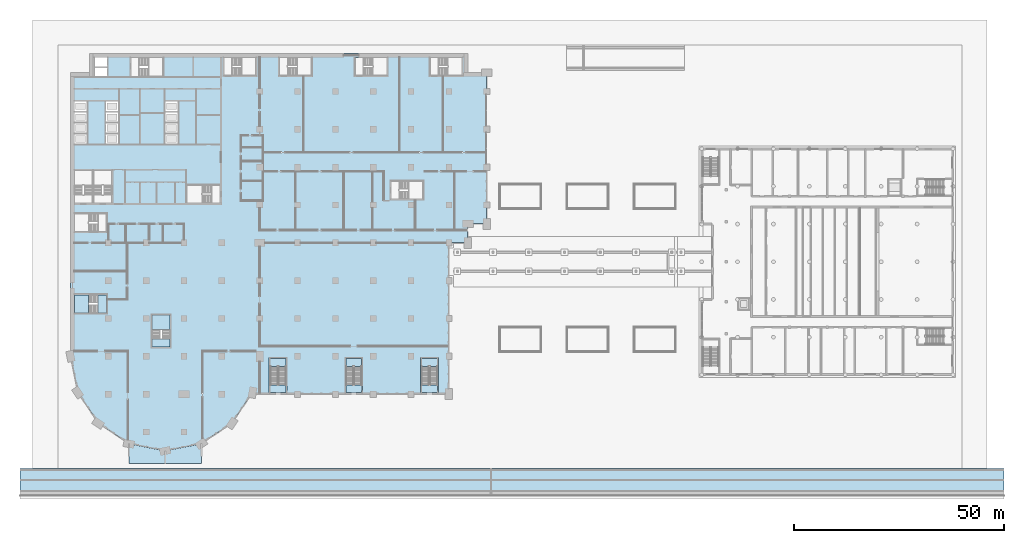
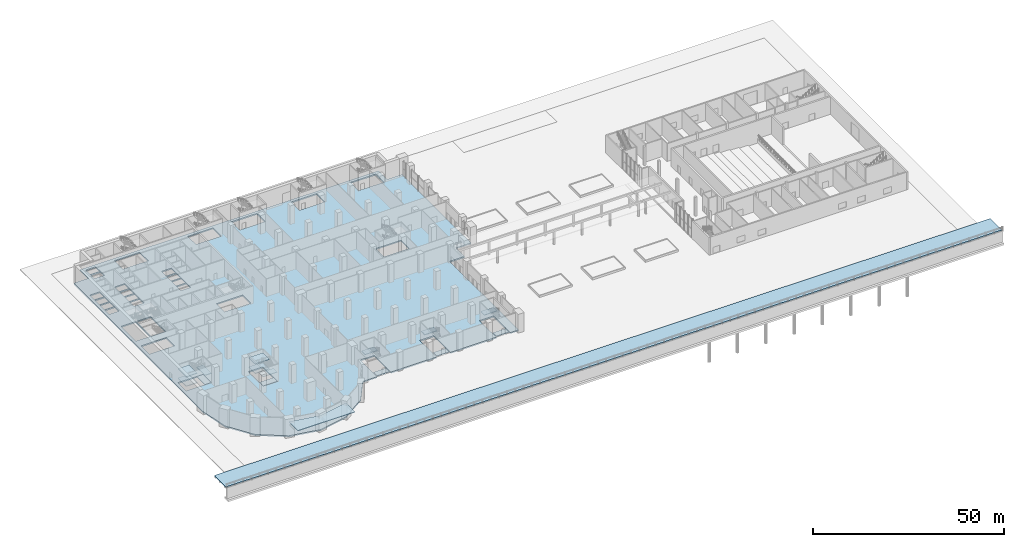
# One storey, part 8 of 47: 17 slabs, 5 elements without a shape of their own.
"""IFC4 building model written with IfcOpenShell, lengths in metres."""

from ifc_helpers import new_model, si_unit, direction, frame, origin, place, context, subcontext, project, spatial, polyline, outline, extrude, material, layer, layer_set, type_object, element, aggregate, save


model = new_model("IFC4")

# Units and contexts
model_context = context("Model", 3, precision=1e-05, world=origin(), true_north=direction((0.0, 1.0)))
body_context = subcontext(model_context, "Body", "Model", "MODEL_VIEW")
ifc_project = project(units=[si_unit("LENGTHUNIT", "METRE"), si_unit("AREAUNIT", "SQUARE_METRE"), si_unit("VOLUMEUNIT", "CUBIC_METRE"), si_unit("PLANEANGLEUNIT", "RADIAN"), si_unit("MASSUNIT", "GRAM", prefix="KILO")], contexts=[model_context])

# Site, building, storey
site_placement = place(None, origin())
site = spatial("IfcSite", under=ifc_project, at=site_placement, CompositionType="ELEMENT")
building_placement = place(site_placement, origin())
building = spatial("IfcBuilding", under=site, at=building_placement, Name="Hunhe Ridgeline Campus", CompositionType="ELEMENT")
storey_placement = place(building_placement, origin())
storey = spatial("IfcBuildingStorey", under=building, at=storey_placement, Name="L00", CompositionType="ELEMENT", Elevation=0.0)

# Slabs
ifc_material_1 = material(Name="Concrete C40", Category="concrete")
ifc_layer_1 = layer(ifc_material_1, 0.199951171875)
ifc_layer_set_1 = layer_set([ifc_layer_1], Name="Entrance canopy slab 200 C40")
slab_type_1 = type_object("IfcSlabType", Name="Entrance canopy slab 200 C40", PredefinedType="ROOF", material=ifc_layer_set_1)
slab_1_placement = place(storey_placement, frame((0.0, 0.0, 4.300048828125)))
element("IfcSlab", 1, at=slab_1_placement, inside=storey, type_object=slab_type_1, Name="Main entrance canopy slab", PredefinedType="ROOF", context=body_context, shape_type="SweptSolid", body=[
    extrude(outline(polyline([(31.1103515625, 6.212646484375), (22.5, 4.5), (13.8896484375, 6.212646484375), (13.8896484375, 1.5), (31.1103515625, 1.5), (31.1103515625, 6.212646484375)])), origin(), (0.0, 0.0, 1.0), 0.199951171875),
])
ifc_layer_2 = layer(ifc_material_1, 0.39990234375)
ifc_layer_set_2 = layer_set([ifc_layer_2], Name="Podium floor slab 400 C40")
slab_type_2 = type_object("IfcSlabType", Name="Podium floor slab 400 C40", PredefinedType="FLOOR", material=ifc_layer_set_2)
slab_2_placement = place(storey_placement, frame((0.0, 0.0, -0.39990234375)))
element("IfcSlab", 2, at=slab_2_placement, inside=storey, type_object=slab_type_2, Name="L00 floor slab 1", PredefinedType="FLOOR", context=body_context, shape_type="SweptSolid", body=[
    extrude(outline(polyline([(90.0, 18.0), (90.0, 54.0), (94.5, 54.0), (94.5, 58.5), (99.0, 58.5), (99.0, 94.5), (94.5, 94.5), (94.5, 99.0), (4.5, 99.0), (4.5, 94.5), (0.0, 94.5), (0.0, 27.0), (1.712646484375, 18.3896484375), (6.590087890625, 11.090087890625), (13.8896484375, 6.212646484375), (22.5, 4.5), (31.1103515625, 6.212646484375), (38.409912109375, 11.090087890625), (43.027099609375, 18.0), (47.25, 18.0), (47.25, 26.75), (51.5, 26.75), (51.5, 18.0), (65.25, 18.0), (65.25, 26.75), (69.5, 26.75), (69.5, 18.0), (83.25, 18.0), (83.25, 26.75), (87.5, 26.75), (87.5, 18.0), (90.0, 18.0)]), holes=[polyline([(0.89990234375, 41.64990234375), (0.89990234375, 37.35009765625), (8.5, 37.35009765625), (8.5, 41.64990234375), (0.89990234375, 41.64990234375)]), polyline([(8.5, 60.949951171875), (0.89990234375, 60.949951171875), (0.89990234375, 56.64990234375), (8.5, 56.64990234375), (8.5, 60.949951171875)]), polyline([(5.199951171875, 63.5), (5.199951171875, 71.25), (0.89990234375, 71.25), (0.89990234375, 63.5), (5.199951171875, 63.5)]), polyline([(9.800048828125, 63.5), (9.800048828125, 71.25), (5.5, 71.25), (5.5, 63.5), (9.800048828125, 63.5)]), polyline([(0.89990234375, 77.550048828125), (3.89990234375, 77.550048828125), (3.89990234375, 79.85009765625), (0.89990234375, 79.85009765625), (0.89990234375, 77.550048828125)]), polyline([(8.39990234375, 77.550048828125), (11.39990234375, 77.550048828125), (11.39990234375, 79.85009765625), (8.39990234375, 79.85009765625), (8.39990234375, 77.550048828125)]), polyline([(0.89990234375, 80.14990234375), (3.89990234375, 80.14990234375), (3.89990234375, 82.449951171875), (0.89990234375, 82.449951171875), (0.89990234375, 80.14990234375)]), polyline([(11.39990234375, 80.14990234375), (11.39990234375, 82.449951171875), (8.39990234375, 82.449951171875), (8.39990234375, 80.14990234375), (11.39990234375, 80.14990234375)]), polyline([(0.89990234375, 82.75), (3.89990234375, 82.75), (3.89990234375, 85.050048828125), (0.89990234375, 85.050048828125), (0.89990234375, 82.75)]), polyline([(8.39990234375, 82.75), (11.39990234375, 82.75), (11.39990234375, 85.050048828125), (8.39990234375, 85.050048828125), (8.39990234375, 82.75)]), polyline([(0.89990234375, 85.35009765625), (3.89990234375, 85.35009765625), (3.89990234375, 87.64990234375), (0.89990234375, 87.64990234375), (0.89990234375, 85.35009765625)]), polyline([(8.39990234375, 85.35009765625), (11.39990234375, 85.35009765625), (11.39990234375, 87.64990234375), (8.39990234375, 87.64990234375), (8.39990234375, 85.35009765625)]), polyline([(5.699951171875, 93.60009765625), (8.699951171875, 93.60009765625), (8.699951171875, 95.60009765625), (5.699951171875, 95.60009765625), (5.699951171875, 93.60009765625)]), polyline([(14.35009765625, 93.60009765625), (21.949951171875, 93.60009765625), (21.949951171875, 98.10009765625), (14.35009765625, 98.10009765625), (14.35009765625, 93.60009765625)]), polyline([(8.699951171875, 95.89990234375), (8.699951171875, 98.10009765625), (5.699951171875, 98.10009765625), (5.699951171875, 95.89990234375), (8.699951171875, 95.89990234375)]), polyline([(23.699951171875, 29.199951171875), (23.699951171875, 36.800048828125), (19.39990234375, 36.800048828125), (19.39990234375, 29.199951171875), (23.699951171875, 29.199951171875)]), polyline([(35.5, 67.75), (27.60009765625, 67.75), (27.60009765625, 63.5), (35.5, 63.5), (35.5, 67.75)]), polyline([(76.199951171875, 64.39990234375), (83.800048828125, 64.39990234375), (83.800048828125, 68.699951171875), (76.199951171875, 68.699951171875), (76.199951171875, 64.39990234375)]), polyline([(22.5, 77.550048828125), (25.5, 77.550048828125), (25.5, 79.85009765625), (22.5, 79.85009765625), (22.5, 77.550048828125)]), polyline([(22.5, 80.14990234375), (25.5, 80.14990234375), (25.5, 82.449951171875), (22.5, 82.449951171875), (22.5, 80.14990234375)]), polyline([(22.5, 82.75), (25.5, 82.75), (25.5, 85.050048828125), (22.5, 85.050048828125), (22.5, 82.75)]), polyline([(22.5, 85.35009765625), (25.5, 85.35009765625), (25.5, 87.64990234375), (22.5, 87.64990234375), (22.5, 85.35009765625)]), polyline([(36.449951171875, 93.800048828125), (44.050048828125, 93.800048828125), (44.050048828125, 98.10009765625), (36.449951171875, 98.10009765625), (36.449951171875, 93.800048828125)]), polyline([(49.699951171875, 93.800048828125), (57.300048828125, 93.800048828125), (57.300048828125, 98.10009765625), (49.699951171875, 98.10009765625), (49.699951171875, 93.800048828125)]), polyline([(67.699951171875, 93.800048828125), (75.300048828125, 93.800048828125), (75.300048828125, 98.10009765625), (67.699951171875, 98.10009765625), (67.699951171875, 93.800048828125)]), polyline([(85.550048828125, 93.800048828125), (93.14990234375, 93.800048828125), (93.14990234375, 98.10009765625), (85.550048828125, 98.10009765625), (85.550048828125, 93.800048828125)])]), origin(), (0.0, 0.0, 1.0), 0.39990234375),
])

# Stair, slabs
stair_type_1 = type_object("IfcStairType", Name="Podium exit stair 1800", PredefinedType="HALF_TURN_STAIR", material=ifc_material_1)
stair_1_placement = place(storey_placement, origin())
stair_1 = element("IfcStair", 3, at=stair_1_placement, inside=storey, type_object=stair_type_1, Name="L00 podium stair PS1", PredefinedType="HALF_TURN_STAIR")
ifc_layer_3 = layer(ifc_material_1, 0.199951171875)
ifc_layer_set_3 = layer_set([ifc_layer_3], Name="Podium stair landing 200 C40")
slab_type_3 = type_object("IfcSlabType", Name="Podium stair landing 200 C40", PredefinedType="LANDING", material=ifc_layer_set_3)
slab_3_placement = place(storey_placement, frame((0.0, 0.0, 2.800048828125)))
slab_3 = element("IfcSlab", 4, at=slab_3_placement, type_object=slab_type_3, Name="PS1 landing 1", PredefinedType="LANDING", context=body_context, shape_type="SweptSolid", body=[
    extrude(outline(polyline([(51.25, 24.6201171875), (51.25, 26.5), (47.5, 26.5), (47.5, 24.6201171875), (51.25, 24.6201171875)])), origin(), (0.0, 0.0, 1.0), 0.199951171875),
])
slab_4_placement = place(storey_placement, frame((0.0, 0.0, -0.199951171875)))
slab_4 = element("IfcSlab", 5, at=slab_4_placement, type_object=slab_type_3, Name="PS1 landing 2", PredefinedType="LANDING", context=body_context, shape_type="SweptSolid", body=[
    extrude(outline(polyline([(47.5, 18.39990234375), (51.25, 18.39990234375), (51.25, 20.199951171875), (47.5, 20.199951171875), (47.5, 18.39990234375)])), origin(), (0.0, 0.0, 1.0), 0.199951171875),
])
aggregate(stair_1, [slab_3, slab_4])

stair_2_placement = place(storey_placement, origin())
stair_2 = element("IfcStair", 6, at=stair_2_placement, inside=storey, type_object=stair_type_1, Name="L00 podium stair PS2", PredefinedType="HALF_TURN_STAIR")
slab_5_placement = place(storey_placement, frame((0.0, 0.0, 2.800048828125)))
slab_5 = element("IfcSlab", 7, at=slab_5_placement, type_object=slab_type_3, Name="PS2 landing 1", PredefinedType="LANDING", context=body_context, shape_type="SweptSolid", body=[
    extrude(outline(polyline([(69.25, 24.6201171875), (69.25, 26.5), (65.5, 26.5), (65.5, 24.6201171875), (69.25, 24.6201171875)])), origin(), (0.0, 0.0, 1.0), 0.199951171875),
])
slab_6_placement = place(storey_placement, frame((0.0, 0.0, -0.199951171875)))
slab_6 = element("IfcSlab", 8, at=slab_6_placement, type_object=slab_type_3, Name="PS2 landing 2", PredefinedType="LANDING", context=body_context, shape_type="SweptSolid", body=[
    extrude(outline(polyline([(65.5, 18.39990234375), (69.25, 18.39990234375), (69.25, 20.199951171875), (65.5, 20.199951171875), (65.5, 18.39990234375)])), origin(), (0.0, 0.0, 1.0), 0.199951171875),
])
aggregate(stair_2, [slab_5, slab_6])

stair_3_placement = place(storey_placement, origin())
stair_3 = element("IfcStair", 9, at=stair_3_placement, inside=storey, type_object=stair_type_1, Name="L00 podium stair PS3", PredefinedType="HALF_TURN_STAIR")
slab_7_placement = place(storey_placement, frame((0.0, 0.0, 2.800048828125)))
slab_7 = element("IfcSlab", 10, at=slab_7_placement, type_object=slab_type_3, Name="PS3 landing 1", PredefinedType="LANDING", context=body_context, shape_type="SweptSolid", body=[
    extrude(outline(polyline([(87.25, 24.6201171875), (87.25, 26.5), (83.5, 26.5), (83.5, 24.6201171875), (87.25, 24.6201171875)])), origin(), (0.0, 0.0, 1.0), 0.199951171875),
])
slab_8_placement = place(storey_placement, frame((0.0, 0.0, -0.199951171875)))
slab_8 = element("IfcSlab", 11, at=slab_8_placement, type_object=slab_type_3, Name="PS3 landing 2", PredefinedType="LANDING", context=body_context, shape_type="SweptSolid", body=[
    extrude(outline(polyline([(83.5, 18.39990234375), (87.25, 18.39990234375), (87.25, 20.199951171875), (83.5, 20.199951171875), (83.5, 18.39990234375)])), origin(), (0.0, 0.0, 1.0), 0.199951171875),
])
aggregate(stair_3, [slab_7, slab_8])

stair_type_2 = type_object("IfcStairType", Name="Reinforced concrete dog-leg stair 1950 Concrete C40", PredefinedType="HALF_TURN_STAIR", material=ifc_material_1)
stair_4_placement = place(storey_placement, origin())
stair_4 = element("IfcStair", 12, at=stair_4_placement, inside=storey, type_object=stair_type_2, Name="L00 W3", PredefinedType="HALF_TURN_STAIR")
ifc_layer_4 = layer(ifc_material_1, 0.199951171875)
ifc_layer_set_4 = layer_set([ifc_layer_4], Name="Reinforced concrete stair landing 200 Concrete C40")
slab_type_4 = type_object("IfcSlabType", Name="Reinforced concrete stair landing 200 Concrete C40", PredefinedType="LANDING", material=ifc_layer_set_4)
slab_9_placement = place(storey_placement, frame((0.0, 0.0, 1.300048828125)))
slab_9 = element("IfcSlab", 13, at=slab_9_placement, type_object=slab_type_4, Name="ST9 landing 1", PredefinedType="LANDING", context=body_context, shape_type="SweptSolid", body=[
    extrude(outline(polyline([(23.699951171875, 33.389892578125), (23.699951171875, 36.800048828125), (19.39990234375, 36.800048828125), (19.39990234375, 33.389892578125), (23.699951171875, 33.389892578125)])), origin(), (0.0, 0.0, 1.0), 0.199951171875),
])
slab_10_placement = place(storey_placement, frame((0.0, 0.0, 2.800048828125)))
slab_10 = element("IfcSlab", 14, at=slab_10_placement, type_object=slab_type_4, Name="ST9 landing 2", PredefinedType="LANDING", context=body_context, shape_type="SweptSolid", body=[
    extrude(outline(polyline([(23.699951171875, 29.199951171875), (23.699951171875, 31.14990234375), (19.39990234375, 31.14990234375), (19.39990234375, 29.199951171875), (23.699951171875, 29.199951171875)])), origin(), (0.0, 0.0, 1.0), 0.199951171875),
])
slab_11_placement = place(storey_placement, frame((0.0, 0.0, 4.300048828125)))
slab_11 = element("IfcSlab", 15, at=slab_11_placement, type_object=slab_type_4, Name="ST9 landing 3", PredefinedType="LANDING", context=body_context, shape_type="SweptSolid", body=[
    extrude(outline(polyline([(23.699951171875, 33.389892578125), (23.699951171875, 36.800048828125), (19.39990234375, 36.800048828125), (19.39990234375, 33.389892578125), (23.699951171875, 33.389892578125)])), origin(), (0.0, 0.0, 1.0), 0.199951171875),
])
aggregate(stair_4, [slab_9, slab_10, slab_11])

# Slab
slab_12_placement = place(storey_placement, frame((0.0, 0.0, -0.199951171875)))
element("IfcSlab", 16, at=slab_12_placement, inside=storey, type_object=slab_type_4, Name="L00 stair W3 floor landing", PredefinedType="LANDING", context=body_context, shape_type="SweptSolid", body=[
    extrude(outline(polyline([(23.699951171875, 29.199951171875), (23.699951171875, 31.14990234375), (19.39990234375, 31.14990234375), (19.39990234375, 29.199951171875), (23.699951171875, 29.199951171875)])), origin(), (0.0, 0.0, 1.0), 0.199951171875),
])

# Stair, slabs
stair_5_placement = place(storey_placement, origin())
stair_5 = element("IfcStair", 17, at=stair_5_placement, inside=storey, type_object=stair_type_2, Name="L00 W1", PredefinedType="HALF_TURN_STAIR")
slab_13_placement = place(storey_placement, frame((0.0, 0.0, 1.300048828125)))
slab_13 = element("IfcSlab", 18, at=slab_13_placement, type_object=slab_type_4, Name="ST11 landing 1", PredefinedType="LANDING", context=body_context, shape_type="SweptSolid", body=[
    extrude(outline(polyline([(4.31005859375, 41.64990234375), (0.89990234375, 41.64990234375), (0.89990234375, 37.35009765625), (4.31005859375, 37.35009765625), (4.31005859375, 41.64990234375)])), origin(), (0.0, 0.0, 1.0), 0.199951171875),
])
slab_14_placement = place(storey_placement, frame((0.0, 0.0, 2.800048828125)))
slab_14 = element("IfcSlab", 19, at=slab_14_placement, type_object=slab_type_4, Name="ST11 landing 2", PredefinedType="LANDING", context=body_context, shape_type="SweptSolid", body=[
    extrude(outline(polyline([(8.5, 41.64990234375), (6.550048828125, 41.64990234375), (6.550048828125, 37.35009765625), (8.5, 37.35009765625), (8.5, 41.64990234375)])), origin(), (0.0, 0.0, 1.0), 0.199951171875),
])
slab_15_placement = place(storey_placement, frame((0.0, 0.0, 4.300048828125)))
slab_15 = element("IfcSlab", 20, at=slab_15_placement, type_object=slab_type_4, Name="ST11 landing 3", PredefinedType="LANDING", context=body_context, shape_type="SweptSolid", body=[
    extrude(outline(polyline([(4.31005859375, 41.64990234375), (0.89990234375, 41.64990234375), (0.89990234375, 37.35009765625), (4.31005859375, 37.35009765625), (4.31005859375, 41.64990234375)])), origin(), (0.0, 0.0, 1.0), 0.199951171875),
])
aggregate(stair_5, [slab_13, slab_14, slab_15])

# Slabs
slab_16_placement = place(storey_placement, frame((0.0, 0.0, -0.199951171875)))
element("IfcSlab", 21, at=slab_16_placement, inside=storey, type_object=slab_type_4, Name="L00 stair W1 floor landing", PredefinedType="LANDING", context=body_context, shape_type="SweptSolid", body=[
    extrude(outline(polyline([(8.5, 41.64990234375), (6.550048828125, 41.64990234375), (6.550048828125, 37.35009765625), (8.5, 37.35009765625), (8.5, 41.64990234375)])), origin(), (0.0, 0.0, 1.0), 0.199951171875),
])
ifc_material_2 = material(Name="Concrete C30", Category="concrete")
ifc_layer_5 = layer(ifc_material_2, 0.25)
ifc_layer_set_5 = layer_set([ifc_layer_5], Name="Site paving slab 250 C30")
slab_type_5 = type_object("IfcSlabType", Name="Site paving slab 250 C30", PredefinedType="USERDEFINED", material=ifc_layer_set_5)
slab_17_placement = place(storey_placement, frame((0.0, 0.0, -0.25)))
element("IfcSlab", 22, at=slab_17_placement, inside=storey, type_object=slab_type_5, Name="River promenade and fire lane paving", ObjectType="PAVING", PredefinedType="USERDEFINED", context=body_context, shape_type="SweptSolid", body=[
    extrude(outline(polyline([(222.0, -5.75), (222.0, 0.300048828125), (-12.0, 0.300048828125), (-12.0, -5.75), (222.0, -5.75)])), origin(), (0.0, 0.0, 1.0), 0.25),
])

save(model, "model.ifc")
